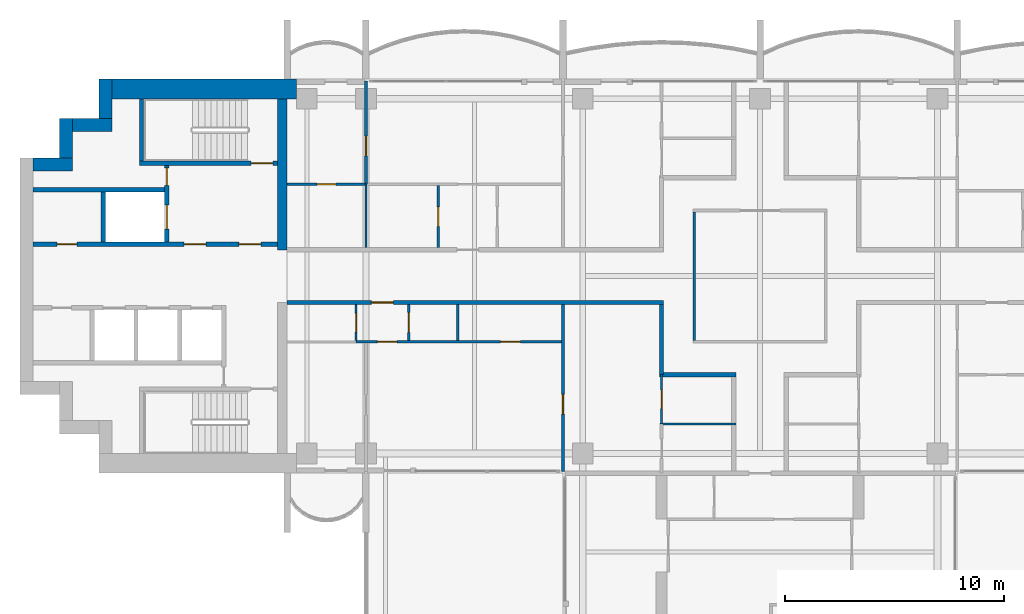
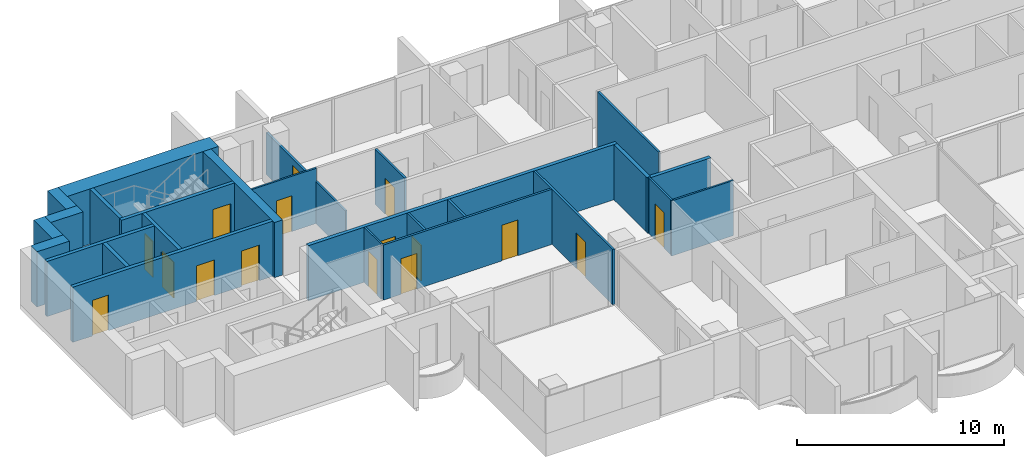
# One storey, part 9 of 17: 27 walls, 16 doors, 16 openings.
"""IFC4 building model written with IfcOpenShell, lengths in metres."""

from ifc_helpers import new_model, si_unit, direction, frame, frame_2d, origin, place, context, subcontext, project, spatial, rectangle, extrude, material, layer, layer_set, type_object, element, fill, save


model = new_model("IFC4")

# Units and contexts
model_context = context("Model", 3, precision=1e-05, world=origin(), true_north=direction((0.0, 1.0)))
body_context = subcontext(model_context, "Body", "Model", "MODEL_VIEW")
ifc_project = project(units=[si_unit("LENGTHUNIT", "METRE"), si_unit("AREAUNIT", "SQUARE_METRE"), si_unit("VOLUMEUNIT", "CUBIC_METRE"), si_unit("PLANEANGLEUNIT", "RADIAN"), si_unit("MASSUNIT", "GRAM", prefix="KILO")], contexts=[model_context])

# Site, building, storey
site_placement = place(None, origin())
site = spatial("IfcSite", under=ifc_project, at=site_placement, CompositionType="ELEMENT")
building_placement = place(site_placement, origin())
building = spatial("IfcBuilding", under=site, at=building_placement, Name="Perihelion Cross Residences", CompositionType="ELEMENT")
storey_placement = place(building_placement, frame((0.0, 0.0, 184.10009765625)))
storey = spatial("IfcBuildingStorey", under=building, at=storey_placement, Name="L45", CompositionType="ELEMENT", Elevation=184.10009765625)

# Wall, opening, door
ifc_material_1 = material(Name="Plasterboard partition")
ifc_layer_1 = layer(ifc_material_1, 0.199951171875)
ifc_layer_set_1 = layer_set([ifc_layer_1], Name="Apartment separation wall 200")
wall_type_1 = type_object("IfcWallType", Name="Apartment separation wall 200", PredefinedType="PARTITIONING", material=ifc_layer_set_1)
wall_1_placement = place(storey_placement, frame((-4.39990234375, -1.199951171875, 0.0), z_axis=(0.0, 0.0, 1.0), x_axis=(-1.0, 0.0, 0.0)))
wall_1 = element("IfcWall", 1, at=wall_1_placement, inside=storey, type_object=wall_type_1, Name="Partition L45 W017", PredefinedType="PARTITIONING", context=body_context, shape_type="SweptSolid", body=[
    extrude(rectangle(XDim=17.2001953125, YDim=0.199951171875, at=frame_2d((8.60009765625, 0.0))), origin(), (0.0, 0.0, 1.0), 3.25),
])
opening_1_placement = place(wall_1_placement, frame((12.35009765625, 0.0, 0.0)))
opening_1 = element("IfcOpeningElement", 2, at=opening_1_placement, cuts=wall_1, Name="Opening L45.A43", PredefinedType="OPENING", context=body_context, shape_type="SweptSolid", body=[
    extrude(rectangle(XDim=1.0, YDim=2.10009765625, at=frame_2d((0.5, 1.050048828125))), frame((0.0, 0.10986328125, 0.0), z_axis=(0.0, -1.0, 0.0), x_axis=(1.0, 0.0, 0.0)), (0.0, 0.0, 1.0), 0.219970703125),
])
ifc_material_2 = material(Name="Timber door leaf", Category="wood")
door_type_1 = type_object("IfcDoorType", Name="Flat entrance door 1000 x 2100", OperationType="SINGLE_SWING_LEFT", PredefinedType="DOOR", material=ifc_material_2)
door_1_placement = place(opening_1_placement, origin())
door_1 = element("IfcDoor", 3, at=door_1_placement, inside=storey, type_object=door_type_1, Name="Door L45.A43", OperationType="SINGLE_SWING_RIGHT", OverallHeight=2.10009765625, OverallWidth=1.0, PredefinedType="DOOR", context=body_context, shape_type="SweptSolid", body=[
    extrude(rectangle(XDim=1.0, YDim=2.10009765625, at=frame_2d((0.5, 1.050048828125))), frame((0.0, 0.02490234375, 0.0), z_axis=(0.0, -1.0, 0.0), x_axis=(1.0, 0.0, 0.0)), (0.0, 0.0, 1.0), 0.050048828125),
])
fill(opening_1, door_1)

# Walls
wall_2_placement = place(storey_placement, frame((-4.5, -4.5, 0.0), z_axis=(0.0, 0.0, 1.0), x_axis=(0.0, 1.0, 0.0)))
element("IfcWall", 4, at=wall_2_placement, inside=storey, type_object=wall_type_1, Name="Partition L45 W018", PredefinedType="PARTITIONING", context=body_context, shape_type="SweptSolid", body=[
    extrude(rectangle(XDim=3.199951171875, YDim=0.199951171875, at=frame_2d((1.60009765625, 0.0))), origin(), (0.0, 0.0, 1.0), 3.25),
])
wall_3_placement = place(storey_placement, frame((-1.10009765625, -4.5, 0.0), z_axis=(0.0, 0.0, 1.0), x_axis=(-1.0, 0.0, 0.0)))
element("IfcWall", 5, at=wall_3_placement, inside=storey, type_object=wall_type_1, Name="Partition L45 W020", PredefinedType="PARTITIONING", context=body_context, shape_type="SweptSolid", body=[
    extrude(rectangle(XDim=3.5, YDim=0.199951171875, at=frame_2d((1.75, 0.0))), origin(), (0.0, 0.0, 1.0), 3.25),
])
ifc_material_3 = material(Name="Concrete C60/75", Category="concrete")
ifc_layer_2 = layer(ifc_material_3, 0.449951171875)
ifc_layer_set_2 = layer_set([ifc_layer_2], Name="Core wall, inner 450")
wall_type_2 = type_object("IfcWallType", Name="Core wall, inner 450", PredefinedType="SHEAR", material=ifc_layer_set_2)
wall_4_placement = place(storey_placement, frame((-21.824951171875, 1.199951171875, 0.0), z_axis=(0.0, 0.0, 1.0), x_axis=(0.0, 1.0, 0.0)))
element("IfcWall", 6, at=wall_4_placement, inside=storey, type_object=wall_type_2, Name="West core core wall, inner", PredefinedType="SHEAR", context=body_context, shape_type="SweptSolid", body=[
    extrude(rectangle(XDim=6.900146484375, YDim=0.449951171875, at=frame_2d((3.4501953125, 0.0))), origin(), (0.0, 0.0, 1.0), 3.25),
])
ifc_material_4 = material(Name="Concrete C60/75", Category="concrete")
ifc_layer_3 = layer(ifc_material_4, 0.60009765625)
ifc_layer_set_3 = layer_set([ifc_layer_3], Name="Core wall, outer 600")
wall_type_3 = type_object("IfcWallType", Name="Core wall, outer 600", PredefinedType="SHEAR", material=ifc_layer_set_3)
for number, where, z_axis, x_axis, name in (
    (7, (-33.199951171875, 5.10009765625, 0.0), (0.0, 0.0, 1.0), (1.0, 0.0, 0.0), "West core core wall, outer"),
    (8, (-31.699951171875, 5.39990234375, 0.0), (0.0, 0.0, 1.0), (0.0, 1.0, 0.0), "West core core wall, outer"),
):
    element("IfcWall", number, at=place(storey_placement, frame(where, z_axis=z_axis, x_axis=x_axis)), inside=storey, type_object=wall_type_3, Name=name, PredefinedType="SHEAR", context=body_context, shape_type="SweptSolid", body=[
        extrude(rectangle(XDim=1.800048828125, YDim=0.60009765625, at=frame_2d((0.89990234375, 0.0))), origin(), (0.0, 0.0, 1.0), 3.25),
    ])
wall_5_placement = place(storey_placement, frame((-31.39990234375, 6.89990234375, 0.0), z_axis=(0.0, 0.0, 1.0), x_axis=(1.0, 0.0, 0.0)))
element("IfcWall", 9, at=wall_5_placement, inside=storey, type_object=wall_type_3, Name="West core core wall, outer", PredefinedType="SHEAR", context=body_context, shape_type="SweptSolid", body=[
    extrude(rectangle(XDim=1.7998046875, YDim=0.60009765625, at=frame_2d((0.89990234375, 0.0))), origin(), (0.0, 0.0, 1.0), 3.25),
])
wall_6_placement = place(storey_placement, frame((-29.89990234375, 7.199951171875, 0.0), z_axis=(0.0, 0.0, 1.0), x_axis=(0.0, 1.0, 0.0)))
element("IfcWall", 10, at=wall_6_placement, inside=storey, type_object=wall_type_3, Name="West core core wall, outer", PredefinedType="SHEAR", context=body_context, shape_type="SweptSolid", body=[
    extrude(rectangle(XDim=1.800048828125, YDim=0.60009765625, at=frame_2d((0.89990234375, 0.0))), origin(), (0.0, 0.0, 1.0), 3.25),
])
ifc_material_5 = material(Name="Concrete C60/75", Category="concrete")
ifc_layer_4 = layer(ifc_material_5, 0.89990234375)
ifc_layer_set_4 = layer_set([ifc_layer_4], Name="Core wall, outer 900")
wall_type_4 = type_object("IfcWallType", Name="Core wall, outer 900", PredefinedType="SHEAR", material=ifc_layer_set_4)
wall_7_placement = place(storey_placement, frame((-29.60009765625, 8.550048828125, 0.0), z_axis=(0.0, 0.0, 1.0), x_axis=(1.0, 0.0, 0.0)))
element("IfcWall", 11, at=wall_7_placement, inside=storey, type_object=wall_type_4, Name="West core core wall, outer", PredefinedType="SHEAR", context=body_context, shape_type="SweptSolid", body=[
    extrude(rectangle(XDim=8.425048828125, YDim=0.89990234375, at=frame_2d((4.21240234375, 0.0))), origin(), (0.0, 0.0, 1.0), 3.25),
])
ifc_material_6 = material(Name="Plasterboard partition")
ifc_layer_5 = layer(ifc_material_6, 0.1201171875)
ifc_layer_set_5 = layer_set([ifc_layer_5], Name="Partition wall 120")
wall_type_5 = type_object("IfcWallType", Name="Partition wall 120", PredefinedType="PARTITIONING", material=ifc_layer_set_5)
wall_8_placement = place(storey_placement, frame((-3.0, 2.93994140625, 0.0), z_axis=(0.0, 0.0, 1.0), x_axis=(0.0, -1.0, 0.0)))
element("IfcWall", 12, at=wall_8_placement, inside=storey, type_object=wall_type_5, Name="Partition L45 W004", PredefinedType="PARTITIONING", context=body_context, shape_type="SweptSolid", body=[
    extrude(rectangle(XDim=5.8798828125, YDim=0.1201171875, at=frame_2d((2.93994140625, 0.0))), origin(), (0.0, 0.0, 1.0), 3.25),
])

# Wall, opening, door
wall_9_placement = place(storey_placement, frame((-14.699951171875, 1.300048828125, 0.0), z_axis=(0.0, 0.0, 1.0), x_axis=(0.0, 1.0, 0.0)))
wall_9 = element("IfcWall", 13, at=wall_9_placement, inside=storey, type_object=wall_type_5, Name="Partition L45 W046", PredefinedType="PARTITIONING", context=body_context, shape_type="SweptSolid", body=[
    extrude(rectangle(XDim=2.83984375, YDim=0.1201171875, at=frame_2d((1.419921875, 0.0))), origin(), (0.0, 0.0, 1.0), 3.25),
])
opening_2_placement = place(wall_9_placement, frame((0.969970703125, 0.0, 0.0)))
opening_2 = element("IfcOpeningElement", 14, at=opening_2_placement, cuts=wall_9, Name="Opening L45.A24", PredefinedType="OPENING", context=body_context, shape_type="SweptSolid", body=[
    extrude(rectangle(XDim=0.89990234375, YDim=2.10009765625, at=frame_2d((0.449951171875, 1.050048828125))), frame((0.0, 0.070068359375, 0.0), z_axis=(0.0, -1.0, 0.0), x_axis=(1.0, 0.0, 0.0)), (0.0, 0.0, 1.0), 0.14013671875),
])
ifc_material_7 = material(Name="Timber door leaf", Category="wood")
door_type_2 = type_object("IfcDoorType", Name="Interior room door 900 x 2100", OperationType="SINGLE_SWING_LEFT", PredefinedType="DOOR", material=ifc_material_7)
door_2_placement = place(opening_2_placement, origin())
door_2 = element("IfcDoor", 15, at=door_2_placement, inside=storey, type_object=door_type_2, Name="Door L45.A24", OperationType="SINGLE_SWING_RIGHT", OverallHeight=2.10009765625, OverallWidth=0.89990234375, PredefinedType="DOOR", context=body_context, shape_type="SweptSolid", body=[
    extrude(rectangle(XDim=0.89990234375, YDim=2.10009765625, at=frame_2d((0.449951171875, 1.050048828125))), frame((0.0, 0.02490234375, 0.0), z_axis=(0.0, -1.0, 0.0), x_axis=(1.0, 0.0, 0.0)), (0.0, 0.0, 1.0), 0.050048828125),
])
fill(opening_2, door_2)

wall_10_placement = place(storey_placement, frame((-18.0, 4.199951171875, 0.0), z_axis=(0.0, 0.0, 1.0), x_axis=(0.0, 1.0, 0.0)))
wall_10 = element("IfcWall", 16, at=wall_10_placement, inside=storey, type_object=wall_type_5, Name="Partition L45 W049", PredefinedType="PARTITIONING", context=body_context, shape_type="SweptSolid", body=[
    extrude(rectangle(XDim=4.719970703125, YDim=0.1201171875, at=frame_2d((2.35986328125, 0.0))), origin(), (0.0, 0.0, 1.0), 2.47998046875),
])
opening_3_placement = place(wall_10_placement, frame((1.300048828125, 0.0, 0.0)))
opening_3 = element("IfcOpeningElement", 17, at=opening_3_placement, cuts=wall_10, Name="Opening L45.A18", PredefinedType="OPENING", context=body_context, shape_type="SweptSolid", body=[
    extrude(rectangle(XDim=0.89990234375, YDim=2.10009765625, at=frame_2d((0.449951171875, 1.050048828125))), frame((0.0, 0.070068359375, 0.0), z_axis=(0.0, -1.0, 0.0), x_axis=(1.0, 0.0, 0.0)), (0.0, 0.0, 1.0), 0.14013671875),
])
door_3_placement = place(opening_3_placement, origin())
door_3 = element("IfcDoor", 18, at=door_3_placement, inside=storey, type_object=door_type_2, Name="Door L45.A18", OperationType="SINGLE_SWING_LEFT", OverallHeight=2.10009765625, OverallWidth=0.89990234375, PredefinedType="DOOR", context=body_context, shape_type="SweptSolid", body=[
    extrude(rectangle(XDim=0.89990234375, YDim=2.10009765625, at=frame_2d((0.449951171875, 1.050048828125))), frame((0.0, 0.02490234375, 0.0), z_axis=(0.0, -1.0, 0.0), x_axis=(1.0, 0.0, 0.0)), (0.0, 0.0, 1.0), 0.050048828125),
])
fill(opening_3, door_3)

# Wall
wall_11_placement = place(storey_placement, frame((-13.800048828125, -2.93994140625, 0.0), z_axis=(0.0, 0.0, 1.0), x_axis=(0.0, 1.0, 0.0)))
element("IfcWall", 19, at=wall_11_placement, inside=storey, type_object=wall_type_5, Name="Partition L45 W053", PredefinedType="PARTITIONING", context=body_context, shape_type="SweptSolid", body=[
    extrude(rectangle(XDim=1.639892578125, YDim=0.1201171875, at=frame_2d((0.81982421875, 0.0))), origin(), (0.0, 0.0, 1.0), 3.25),
])

# Wall, openings, doors
wall_12_placement = place(storey_placement, frame((-8.93994140625, -3.0, 0.0), z_axis=(0.0, 0.0, 1.0), x_axis=(-1.0, 0.0, 0.0)))
wall_12 = element("IfcWall", 20, at=wall_12_placement, inside=storey, type_object=wall_type_5, Name="Partition L45 W054", PredefinedType="PARTITIONING", context=body_context, shape_type="SweptSolid", body=[
    extrude(rectangle(XDim=9.510009765625, YDim=0.1201171875, at=frame_2d((4.7548828125, 0.0))), origin(), (0.0, 0.0, 1.0), 3.25),
])
opening_4_placement = place(wall_12_placement, frame((2.010009765625, 0.0, 0.0)))
opening_4 = element("IfcOpeningElement", 21, at=opening_4_placement, cuts=wall_12, Name="Opening L45.A27", PredefinedType="OPENING", context=body_context, shape_type="SweptSolid", body=[
    extrude(rectangle(XDim=0.89990234375, YDim=2.10009765625, at=frame_2d((0.449951171875, 1.050048828125))), frame((0.0, 0.070068359375, 0.0), z_axis=(0.0, -1.0, 0.0), x_axis=(1.0, 0.0, 0.0)), (0.0, 0.0, 1.0), 0.14013671875),
])
opening_5_placement = place(wall_12_placement, frame((7.635009765625, 0.0, 0.0)))
opening_5 = element("IfcOpeningElement", 22, at=opening_5_placement, cuts=wall_12, Name="Opening L45.A30", PredefinedType="OPENING", context=body_context, shape_type="SweptSolid", body=[
    extrude(rectangle(XDim=0.89990234375, YDim=2.10009765625, at=frame_2d((0.449951171875, 1.050048828125))), frame((0.0, 0.070068359375, 0.0), z_axis=(0.0, -1.0, 0.0), x_axis=(1.0, 0.0, 0.0)), (0.0, 0.0, 1.0), 0.14013671875),
])
door_4_placement = place(opening_4_placement, origin())
door_4 = element("IfcDoor", 23, at=door_4_placement, inside=storey, type_object=door_type_2, Name="Door L45.A27", OperationType="SINGLE_SWING_RIGHT", OverallHeight=2.10009765625, OverallWidth=0.89990234375, PredefinedType="DOOR", context=body_context, shape_type="SweptSolid", body=[
    extrude(rectangle(XDim=0.89990234375, YDim=2.10009765625, at=frame_2d((0.449951171875, 1.050048828125))), frame((0.0, 0.02490234375, 0.0), z_axis=(0.0, -1.0, 0.0), x_axis=(1.0, 0.0, 0.0)), (0.0, 0.0, 1.0), 0.050048828125),
])
fill(opening_4, door_4)
door_5_placement = place(opening_5_placement, origin())
door_5 = element("IfcDoor", 24, at=door_5_placement, inside=storey, type_object=door_type_2, Name="Door L45.A30", OperationType="SINGLE_SWING_LEFT", OverallHeight=2.10009765625, OverallWidth=0.89990234375, PredefinedType="DOOR", context=body_context, shape_type="SweptSolid", body=[
    extrude(rectangle(XDim=0.89990234375, YDim=2.10009765625, at=frame_2d((0.449951171875, 1.050048828125))), frame((0.0, 0.02490234375, 0.0), z_axis=(0.0, -1.0, 0.0), x_axis=(1.0, 0.0, 0.0)), (0.0, 0.0, 1.0), 0.050048828125),
])
fill(opening_5, door_5)

# Wall, opening, door
wall_13_placement = place(storey_placement, frame((-9.0, -1.300048828125, 0.0), z_axis=(0.0, 0.0, 1.0), x_axis=(0.0, -1.0, 0.0)))
wall_13 = element("IfcWall", 25, at=wall_13_placement, inside=storey, type_object=wall_type_5, Name="Partition L45 W055", PredefinedType="PARTITIONING", context=body_context, shape_type="SweptSolid", body=[
    extrude(rectangle(XDim=7.619873046875, YDim=0.1201171875, at=frame_2d((3.81005859375, 0.0))), origin(), (0.0, 0.0, 1.0), 3.25),
])
opening_6_placement = place(wall_13_placement, frame((4.10009765625, 0.0, 0.0)))
opening_6 = element("IfcOpeningElement", 26, at=opening_6_placement, cuts=wall_13, Name="Opening L45.A31", PredefinedType="OPENING", context=body_context, shape_type="SweptSolid", body=[
    extrude(rectangle(XDim=0.89990234375, YDim=2.10009765625, at=frame_2d((0.449951171875, 1.050048828125))), frame((0.0, 0.070068359375, 0.0), z_axis=(0.0, -1.0, 0.0), x_axis=(1.0, 0.0, 0.0)), (0.0, 0.0, 1.0), 0.14013671875),
])
door_6_placement = place(opening_6_placement, origin())
door_6 = element("IfcDoor", 27, at=door_6_placement, inside=storey, type_object=door_type_2, Name="Door L45.A31", OperationType="SINGLE_SWING_LEFT", OverallHeight=2.10009765625, OverallWidth=0.89990234375, PredefinedType="DOOR", context=body_context, shape_type="SweptSolid", body=[
    extrude(rectangle(XDim=0.89990234375, YDim=2.10009765625, at=frame_2d((0.449951171875, 1.050048828125))), frame((0.0, 0.02490234375, 0.0), z_axis=(0.0, -1.0, 0.0), x_axis=(1.0, 0.0, 0.0)), (0.0, 0.0, 1.0), 0.050048828125),
])
fill(opening_6, door_6)

wall_14_placement = place(storey_placement, frame((-16.050048828125, -2.93994140625, 0.0), z_axis=(0.0, 0.0, 1.0), x_axis=(0.0, 1.0, 0.0)))
wall_14 = element("IfcWall", 28, at=wall_14_placement, inside=storey, type_object=wall_type_5, Name="Partition L45 W056", PredefinedType="PARTITIONING", context=body_context, shape_type="SweptSolid", body=[
    extrude(rectangle(XDim=1.639892578125, YDim=0.1201171875, at=frame_2d((0.81982421875, 0.0))), origin(), (0.0, 0.0, 1.0), 3.25),
])
opening_7_placement = place(wall_14_placement, frame((0.3701171875, 0.0, 0.0)))
opening_7 = element("IfcOpeningElement", 29, at=opening_7_placement, cuts=wall_14, Name="Opening L45.A28", PredefinedType="OPENING", context=body_context, shape_type="SweptSolid", body=[
    extrude(rectangle(XDim=0.89990234375, YDim=2.10009765625, at=frame_2d((0.449951171875, 1.050048828125))), frame((0.0, 0.070068359375, 0.0), z_axis=(0.0, -1.0, 0.0), x_axis=(1.0, 0.0, 0.0)), (0.0, 0.0, 1.0), 0.14013671875),
])
door_7_placement = place(opening_7_placement, origin())
door_7 = element("IfcDoor", 30, at=door_7_placement, inside=storey, type_object=door_type_2, Name="Door L45.A28", OperationType="SINGLE_SWING_LEFT", OverallHeight=2.10009765625, OverallWidth=0.89990234375, PredefinedType="DOOR", context=body_context, shape_type="SweptSolid", body=[
    extrude(rectangle(XDim=0.89990234375, YDim=2.10009765625, at=frame_2d((0.449951171875, 1.050048828125))), frame((0.0, 0.02490234375, 0.0), z_axis=(0.0, -1.0, 0.0), x_axis=(1.0, 0.0, 0.0)), (0.0, 0.0, 1.0), 0.050048828125),
])
fill(opening_7, door_7)

# Wall, openings, doors
ifc_material_8 = material(Name="Concrete C50/60", Category="concrete")
ifc_layer_6 = layer(ifc_material_8, 0.199951171875)
ifc_layer_set_6 = layer_set([ifc_layer_6], Name="Shaft wall 200")
wall_type_6 = type_object("IfcWallType", Name="Shaft wall 200", PredefinedType="SOLIDWALL", material=ifc_layer_set_6)
wall_15_placement = place(storey_placement, frame((-33.199951171875, 1.449951171875, 0.0), z_axis=(0.0, 0.0, 1.0), x_axis=(1.0, 0.0, 0.0)))
wall_15 = element("IfcWall", 31, at=wall_15_placement, inside=storey, type_object=wall_type_6, Name="West core shaft wall", PredefinedType="SOLIDWALL", context=body_context, shape_type="SweptSolid", body=[
    extrude(rectangle(XDim=11.14990234375, YDim=0.199951171875, at=frame_2d((5.574951171875, 0.0))), origin(), (0.0, 0.0, 1.0), 3.25),
])
opening_8_placement = place(wall_15_placement, frame((9.39990234375, 0.0, 0.0)))
opening_8 = element("IfcOpeningElement", 32, at=opening_8_placement, cuts=wall_15, Name="Opening L45.C19", PredefinedType="OPENING", context=body_context, shape_type="SweptSolid", body=[
    extrude(rectangle(XDim=1.0, YDim=2.10009765625, at=frame_2d((0.5, 1.050048828125))), frame((0.0, 0.10986328125, 0.0), z_axis=(0.0, -1.0, 0.0), x_axis=(1.0, 0.0, 0.0)), (0.0, 0.0, 1.0), 0.219970703125),
])
opening_9_placement = place(wall_15_placement, frame((6.89990234375, 0.0, 0.0)))
opening_9 = element("IfcOpeningElement", 33, at=opening_9_placement, cuts=wall_15, Name="Opening L45.C21", PredefinedType="OPENING", context=body_context, shape_type="SweptSolid", body=[
    extrude(rectangle(XDim=1.0, YDim=2.10009765625, at=frame_2d((0.5, 1.050048828125))), frame((0.0, 0.10986328125, 0.0), z_axis=(0.0, -1.0, 0.0), x_axis=(1.0, 0.0, 0.0)), (0.0, 0.0, 1.0), 0.219970703125),
])
opening_10_placement = place(wall_15_placement, frame((1.10009765625, 0.0, 0.0)))
opening_10 = element("IfcOpeningElement", 34, at=opening_10_placement, cuts=wall_15, Name="Opening L45.C23", PredefinedType="OPENING", context=body_context, shape_type="SweptSolid", body=[
    extrude(rectangle(XDim=0.89990234375, YDim=2.10009765625, at=frame_2d((0.449951171875, 1.050048828125))), frame((0.0, 0.10986328125, 0.0), z_axis=(0.0, -1.0, 0.0), x_axis=(1.0, 0.0, 0.0)), (0.0, 0.0, 1.0), 0.219970703125),
])
ifc_material_9 = material(Name="Steel, powder coated", Category="steel")
door_type_3 = type_object("IfcDoorType", Name="Lobby door 1000", OperationType="SINGLE_SWING_LEFT", PredefinedType="DOOR", material=ifc_material_9)
door_8_placement = place(opening_8_placement, origin())
door_8 = element("IfcDoor", 35, at=door_8_placement, inside=storey, type_object=door_type_3, Name="West core firefighting lobby door", OperationType="SINGLE_SWING_LEFT", OverallHeight=2.10009765625, OverallWidth=1.0, PredefinedType="DOOR", context=body_context, shape_type="SweptSolid", body=[
    extrude(rectangle(XDim=1.0, YDim=2.10009765625, at=frame_2d((0.5, 1.050048828125))), frame((0.0, 0.02490234375, 0.0), z_axis=(0.0, -1.0, 0.0), x_axis=(1.0, 0.0, 0.0)), (0.0, 0.0, 1.0), 0.050048828125),
])
fill(opening_8, door_8)
door_9_placement = place(opening_9_placement, origin())
door_9 = element("IfcDoor", 36, at=door_9_placement, inside=storey, type_object=door_type_3, Name="West core firefighting lobby door", OperationType="SINGLE_SWING_LEFT", OverallHeight=2.10009765625, OverallWidth=1.0, PredefinedType="DOOR", context=body_context, shape_type="SweptSolid", body=[
    extrude(rectangle(XDim=1.0, YDim=2.10009765625, at=frame_2d((0.5, 1.050048828125))), frame((0.0, 0.02490234375, 0.0), z_axis=(0.0, -1.0, 0.0), x_axis=(1.0, 0.0, 0.0)), (0.0, 0.0, 1.0), 0.050048828125),
])
fill(opening_9, door_9)
ifc_material_10 = material(Name="Steel, powder coated", Category="steel")
door_type_4 = type_object("IfcDoorType", Name="Service room door 900", OperationType="SINGLE_SWING_LEFT", PredefinedType="DOOR", material=ifc_material_10)
door_10_placement = place(opening_10_placement, origin())
door_10 = element("IfcDoor", 37, at=door_10_placement, inside=storey, type_object=door_type_4, Name="West core service room door", OperationType="SINGLE_SWING_LEFT", OverallHeight=2.10009765625, OverallWidth=0.89990234375, PredefinedType="DOOR", context=body_context, shape_type="SweptSolid", body=[
    extrude(rectangle(XDim=0.89990234375, YDim=2.10009765625, at=frame_2d((0.449951171875, 1.050048828125))), frame((0.0, 0.02490234375, 0.0), z_axis=(0.0, -1.0, 0.0), x_axis=(1.0, 0.0, 0.0)), (0.0, 0.0, 1.0), 0.050048828125),
])
fill(opening_10, door_10)

# Wall
wall_16_placement = place(storey_placement, frame((-33.199951171875, 3.949951171875, 0.0), z_axis=(0.0, 0.0, 1.0), x_axis=(1.0, 0.0, 0.0)))
element("IfcWall", 38, at=wall_16_placement, inside=storey, type_object=wall_type_6, Name="West core shaft wall", PredefinedType="SOLIDWALL", context=body_context, shape_type="SweptSolid", body=[
    extrude(rectangle(XDim=6.0, YDim=0.199951171875, at=frame_2d((3.0, 0.0))), origin(), (0.0, 0.0, 1.0), 3.25),
])

# Wall, openings, doors
wall_17_placement = place(storey_placement, frame((-27.10009765625, 1.550048828125, 0.0), z_axis=(0.0, 0.0, 1.0), x_axis=(0.0, 1.0, 0.0)))
wall_17 = element("IfcWall", 39, at=wall_17_placement, inside=storey, type_object=wall_type_6, Name="West core shaft wall", PredefinedType="SOLIDWALL", context=body_context, shape_type="SweptSolid", body=[
    extrude(rectangle(XDim=3.5, YDim=0.199951171875, at=frame_2d((1.75, 0.0))), origin(), (0.0, 0.0, 1.0), 3.25),
])
opening_11_placement = place(wall_17_placement, frame((0.60009765625, 0.0, 0.0)))
opening_11 = element("IfcOpeningElement", 40, at=opening_11_placement, cuts=wall_17, Name="Opening L45.C14", PredefinedType="OPENING", context=body_context, shape_type="SweptSolid", body=[
    extrude(rectangle(XDim=1.10009765625, YDim=2.10009765625, at=frame_2d((0.550048828125, 1.050048828125))), frame((0.0, 0.10986328125, 0.0), z_axis=(0.0, -1.0, 0.0), x_axis=(1.0, 0.0, 0.0)), (0.0, 0.0, 1.0), 0.219970703125),
])
opening_12_placement = place(wall_17_placement, frame((2.60009765625, 0.0, 0.0)))
opening_12 = element("IfcOpeningElement", 41, at=opening_12_placement, cuts=wall_17, Name="Opening L45.C22", PredefinedType="OPENING", context=body_context, shape_type="SweptSolid", body=[
    extrude(rectangle(XDim=0.800048828125, YDim=2.10009765625, at=frame_2d((0.39990234375, 1.050048828125))), frame((0.0, 0.10986328125, 0.0), z_axis=(0.0, -1.0, 0.0), x_axis=(1.0, 0.0, 0.0)), (0.0, 0.0, 1.0), 0.219970703125),
])
ifc_material_11 = material(Name="Stainless steel", Category="steel")
door_type_5 = type_object("IfcDoorType", Name="Landing door, firefighting lift 1100", OperationType="DOUBLE_DOOR_SLIDING", PredefinedType="DOOR", material=ifc_material_11)
door_11_placement = place(opening_11_placement, origin())
door_11 = element("IfcDoor", 42, at=door_11_placement, inside=storey, type_object=door_type_5, Name="Landing door, West core firefighting and service lift", OperationType="DOUBLE_DOOR_SLIDING", OverallHeight=2.10009765625, OverallWidth=1.10009765625, PredefinedType="DOOR", context=body_context, shape_type="SweptSolid", body=[
    extrude(rectangle(XDim=1.10009765625, YDim=2.10009765625, at=frame_2d((0.550048828125, 1.050048828125))), frame((0.0, 0.02490234375, 0.0), z_axis=(0.0, -1.0, 0.0), x_axis=(1.0, 0.0, 0.0)), (0.0, 0.0, 1.0), 0.050048828125),
])
fill(opening_11, door_11)
ifc_material_12 = material(Name="Steel, powder coated", Category="steel")
door_type_6 = type_object("IfcDoorType", Name="Riser door 800", OperationType="SINGLE_SWING_LEFT", PredefinedType="DOOR", material=ifc_material_12)
door_12_placement = place(opening_12_placement, origin())
door_12 = element("IfcDoor", 43, at=door_12_placement, inside=storey, type_object=door_type_6, Name="West core riser door", OperationType="SINGLE_SWING_LEFT", OverallHeight=2.10009765625, OverallWidth=0.800048828125, PredefinedType="DOOR", context=body_context, shape_type="SweptSolid", body=[
    extrude(rectangle(XDim=0.800048828125, YDim=2.10009765625, at=frame_2d((0.39990234375, 1.050048828125))), frame((0.0, 0.02490234375, 0.0), z_axis=(0.0, -1.0, 0.0), x_axis=(1.0, 0.0, 0.0)), (0.0, 0.0, 1.0), 0.050048828125),
])
fill(opening_12, door_12)

# Wall
wall_18_placement = place(storey_placement, frame((-30.0, 1.550048828125, 0.0), z_axis=(0.0, 0.0, 1.0), x_axis=(0.0, 1.0, 0.0)))
element("IfcWall", 44, at=wall_18_placement, inside=storey, type_object=wall_type_6, Name="West core shaft wall", PredefinedType="SOLIDWALL", context=body_context, shape_type="SweptSolid", body=[
    extrude(rectangle(XDim=2.300048828125, YDim=0.199951171875, at=frame_2d((1.14990234375, 0.0))), origin(), (0.0, 0.0, 1.0), 3.25),
])

# Wall, opening, door
ifc_material_13 = material(Name="Concrete C50/60", Category="concrete")
ifc_layer_7 = layer(ifc_material_13, 0.199951171875)
ifc_layer_set_7 = layer_set([ifc_layer_7], Name="Stair wall 200")
wall_type_7 = type_object("IfcWallType", Name="Stair wall 200", PredefinedType="SOLIDWALL", material=ifc_layer_set_7)
wall_19_placement = place(storey_placement, frame((-28.35009765625, 5.14990234375, 0.0), z_axis=(0.0, 0.0, 1.0), x_axis=(1.0, 0.0, 0.0)))
wall_19 = element("IfcWall", 45, at=wall_19_placement, inside=storey, type_object=wall_type_7, Name="West core stair wall", PredefinedType="SOLIDWALL", context=body_context, shape_type="SweptSolid", body=[
    extrude(rectangle(XDim=6.300048828125, YDim=0.199951171875, at=frame_2d((3.14990234375, 0.0))), origin(), (0.0, 0.0, 1.0), 3.25),
])
opening_13_placement = place(wall_19_placement, frame((5.10009765625, 0.0, 0.0)))
opening_13 = element("IfcOpeningElement", 46, at=opening_13_placement, cuts=wall_19, Name="Opening L45.C18", PredefinedType="OPENING", context=body_context, shape_type="SweptSolid", body=[
    extrude(rectangle(XDim=1.0, YDim=2.10009765625, at=frame_2d((0.5, 1.050048828125))), frame((0.0, 0.10986328125, 0.0), z_axis=(0.0, -1.0, 0.0), x_axis=(1.0, 0.0, 0.0)), (0.0, 0.0, 1.0), 0.219970703125),
])
ifc_material_14 = material(Name="Steel, powder coated", Category="steel")
door_type_7 = type_object("IfcDoorType", Name="Stair door 1000", OperationType="SINGLE_SWING_LEFT", PredefinedType="DOOR", material=ifc_material_14)
door_13_placement = place(opening_13_placement, origin())
door_13 = element("IfcDoor", 47, at=door_13_placement, inside=storey, type_object=door_type_7, Name="West core stair door", OperationType="SINGLE_SWING_LEFT", OverallHeight=2.10009765625, OverallWidth=1.0, PredefinedType="DOOR", context=body_context, shape_type="SweptSolid", body=[
    extrude(rectangle(XDim=1.0, YDim=2.10009765625, at=frame_2d((0.5, 1.050048828125))), frame((0.0, 0.02490234375, 0.0), z_axis=(0.0, -1.0, 0.0), x_axis=(1.0, 0.0, 0.0)), (0.0, 0.0, 1.0), 0.050048828125),
])
fill(opening_13, door_13)

# Walls
wall_20_placement = place(storey_placement, frame((-28.25, 5.25, 0.0), z_axis=(0.0, 0.0, 1.0), x_axis=(0.0, 1.0, 0.0)))
element("IfcWall", 48, at=wall_20_placement, inside=storey, type_object=wall_type_7, Name="West core stair wall", PredefinedType="SOLIDWALL", context=body_context, shape_type="SweptSolid", body=[
    extrude(rectangle(XDim=2.85009765625, YDim=0.199951171875, at=frame_2d((1.425048828125, 0.0))), origin(), (0.0, 0.0, 1.0), 3.25),
])
ifc_material_15 = material(Name="Plasterboard partition")
ifc_layer_8 = layer(ifc_material_15, 0.10009765625)
ifc_layer_set_8 = layer_set([ifc_layer_8], Name="Wet room wall 100")
wall_type_8 = type_object("IfcWallType", Name="Wet room wall 100", PredefinedType="PARTITIONING", material=ifc_layer_set_8)
wall_21_placement = place(storey_placement, frame((-18.0, 1.300048828125, 0.0), z_axis=(0.0, 0.0, 1.0), x_axis=(0.0, 1.0, 0.0)))
element("IfcWall", 49, at=wall_21_placement, inside=storey, type_object=wall_type_8, Name="Partition L45 W047", PredefinedType="PARTITIONING", context=body_context, shape_type="SweptSolid", body=[
    extrude(rectangle(XDim=2.89990234375, YDim=0.10009765625, at=frame_2d((1.449951171875, 0.0))), origin(), (0.0, 0.0, 1.0), 2.47998046875),
])

# Wall, opening, door
wall_22_placement = place(storey_placement, frame((-21.60009765625, 4.199951171875, 0.0), z_axis=(0.0, 0.0, 1.0), x_axis=(1.0, 0.0, 0.0)))
wall_22 = element("IfcWall", 50, at=wall_22_placement, inside=storey, type_object=wall_type_8, Name="Partition L45 W048", PredefinedType="PARTITIONING", context=body_context, shape_type="SweptSolid", body=[
    extrude(rectangle(XDim=3.60009765625, YDim=0.10009765625, at=frame_2d((1.800048828125, 0.0))), origin(), (0.0, 0.0, 1.0), 3.25),
])
opening_14_placement = place(wall_22_placement, frame((1.375, 0.0, 0.0)))
opening_14 = element("IfcOpeningElement", 51, at=opening_14_placement, cuts=wall_22, Name="Opening L45.A19", PredefinedType="OPENING", context=body_context, shape_type="SweptSolid", body=[
    extrude(rectangle(XDim=0.85009765625, YDim=2.10009765625, at=frame_2d((0.425048828125, 1.050048828125))), frame((0.0, 0.06005859375, 0.0), z_axis=(0.0, -1.0, 0.0), x_axis=(1.0, 0.0, 0.0)), (0.0, 0.0, 1.0), 0.1201171875),
])
ifc_material_16 = material(Name="Timber door leaf", Category="wood")
door_type_8 = type_object("IfcDoorType", Name="Interior bathroom door 850 x 2100", OperationType="SINGLE_SWING_LEFT", PredefinedType="DOOR", material=ifc_material_16)
door_14_placement = place(opening_14_placement, origin())
door_14 = element("IfcDoor", 52, at=door_14_placement, inside=storey, type_object=door_type_8, Name="Door L45.A19", OperationType="SINGLE_SWING_LEFT", OverallHeight=2.10009765625, OverallWidth=0.85009765625, PredefinedType="DOOR", context=body_context, shape_type="SweptSolid", body=[
    extrude(rectangle(XDim=0.85009765625, YDim=2.10009765625, at=frame_2d((0.425048828125, 1.050048828125))), frame((0.0, 0.02490234375, 0.0), z_axis=(0.0, -1.0, 0.0), x_axis=(1.0, 0.0, 0.0)), (0.0, 0.0, 1.0), 0.050048828125),
])
fill(opening_14, door_14)

wall_23_placement = place(storey_placement, frame((-18.449951171875, -2.93994140625, 0.0), z_axis=(0.0, 0.0, 1.0), x_axis=(0.0, 1.0, 0.0)))
wall_23 = element("IfcWall", 53, at=wall_23_placement, inside=storey, type_object=wall_type_8, Name="Partition L45 W057", PredefinedType="PARTITIONING", context=body_context, shape_type="SweptSolid", body=[
    extrude(rectangle(XDim=1.639892578125, YDim=0.10009765625, at=frame_2d((0.81982421875, 0.0))), origin(), (0.0, 0.0, 1.0), 3.25),
])
opening_15_placement = place(wall_23_placement, frame((0.39501953125, 0.0, 0.0)))
opening_15 = element("IfcOpeningElement", 54, at=opening_15_placement, cuts=wall_23, Name="Opening L45.A26", PredefinedType="OPENING", context=body_context, shape_type="SweptSolid", body=[
    extrude(rectangle(XDim=0.85009765625, YDim=2.10009765625, at=frame_2d((0.425048828125, 1.050048828125))), frame((0.0, 0.06005859375, 0.0), z_axis=(0.0, -1.0, 0.0), x_axis=(1.0, 0.0, 0.0)), (0.0, 0.0, 1.0), 0.1201171875),
])
door_15_placement = place(opening_15_placement, origin())
door_15 = element("IfcDoor", 55, at=door_15_placement, inside=storey, type_object=door_type_8, Name="Door L45.A26", OperationType="SINGLE_SWING_RIGHT", OverallHeight=2.10009765625, OverallWidth=0.85009765625, PredefinedType="DOOR", context=body_context, shape_type="SweptSolid", body=[
    extrude(rectangle(XDim=0.85009765625, YDim=2.10009765625, at=frame_2d((0.425048828125, 1.050048828125))), frame((0.0, 0.02490234375, 0.0), z_axis=(0.0, -1.0, 0.0), x_axis=(1.0, 0.0, 0.0)), (0.0, 0.0, 1.0), 0.050048828125),
])
fill(opening_15, door_15)

wall_24_placement = place(storey_placement, frame((-4.5, -4.5, 0.0), z_axis=(0.0, 0.0, 1.0), x_axis=(0.0, -1.0, 0.0)))
wall_24 = element("IfcWall", 56, at=wall_24_placement, inside=storey, type_object=wall_type_8, Name="Partition L45 W060", PredefinedType="PARTITIONING", context=body_context, shape_type="SweptSolid", body=[
    extrude(rectangle(XDim=2.25, YDim=0.10009765625, at=frame_2d((1.125, 0.0))), origin(), (0.0, 0.0, 1.0), 3.25),
])
opening_16_placement = place(wall_24_placement, frame((0.699951171875, 0.0, 0.0)))
opening_16 = element("IfcOpeningElement", 57, at=opening_16_placement, cuts=wall_24, Name="Opening L45.A33", PredefinedType="OPENING", context=body_context, shape_type="SweptSolid", body=[
    extrude(rectangle(XDim=0.85009765625, YDim=2.10009765625, at=frame_2d((0.425048828125, 1.050048828125))), frame((0.0, 0.06005859375, 0.0), z_axis=(0.0, -1.0, 0.0), x_axis=(1.0, 0.0, 0.0)), (0.0, 0.0, 1.0), 0.1201171875),
])
door_16_placement = place(opening_16_placement, origin())
door_16 = element("IfcDoor", 58, at=door_16_placement, inside=storey, type_object=door_type_8, Name="Door L45.A33", OperationType="SINGLE_SWING_LEFT", OverallHeight=2.10009765625, OverallWidth=0.85009765625, PredefinedType="DOOR", context=body_context, shape_type="SweptSolid", body=[
    extrude(rectangle(XDim=0.85009765625, YDim=2.10009765625, at=frame_2d((0.425048828125, 1.050048828125))), frame((0.0, 0.02490234375, 0.0), z_axis=(0.0, -1.0, 0.0), x_axis=(1.0, 0.0, 0.0)), (0.0, 0.0, 1.0), 0.050048828125),
])
fill(opening_16, door_16)

# Wall
wall_25_placement = place(storey_placement, frame((-1.10009765625, -6.75, 0.0), z_axis=(0.0, 0.0, 1.0), x_axis=(-1.0, 0.0, 0.0)))
element("IfcWall", 59, at=wall_25_placement, inside=storey, type_object=wall_type_8, Name="Partition L45 W062", PredefinedType="PARTITIONING", context=body_context, shape_type="SweptSolid", body=[
    extrude(rectangle(XDim=3.4599609375, YDim=0.10009765625, at=frame_2d((1.72998046875, 0.0))), origin(), (0.0, 0.0, 1.0), 3.25),
])

save(model, "model.ifc")
